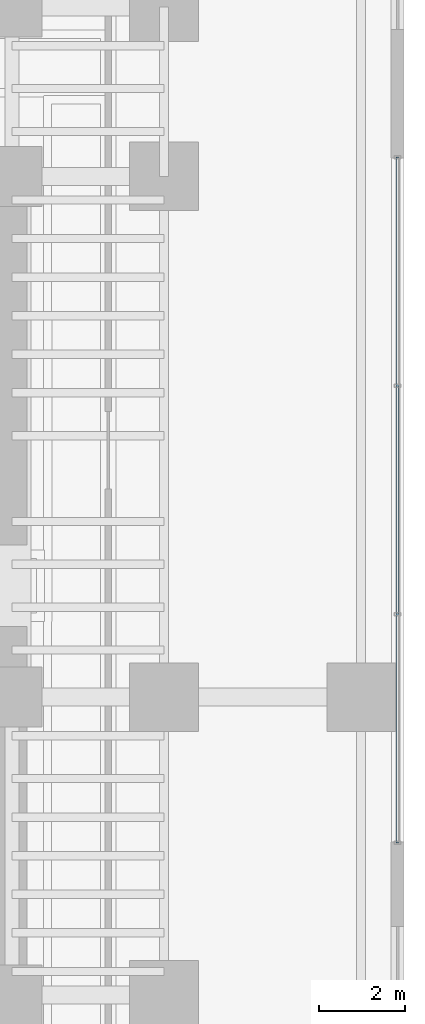
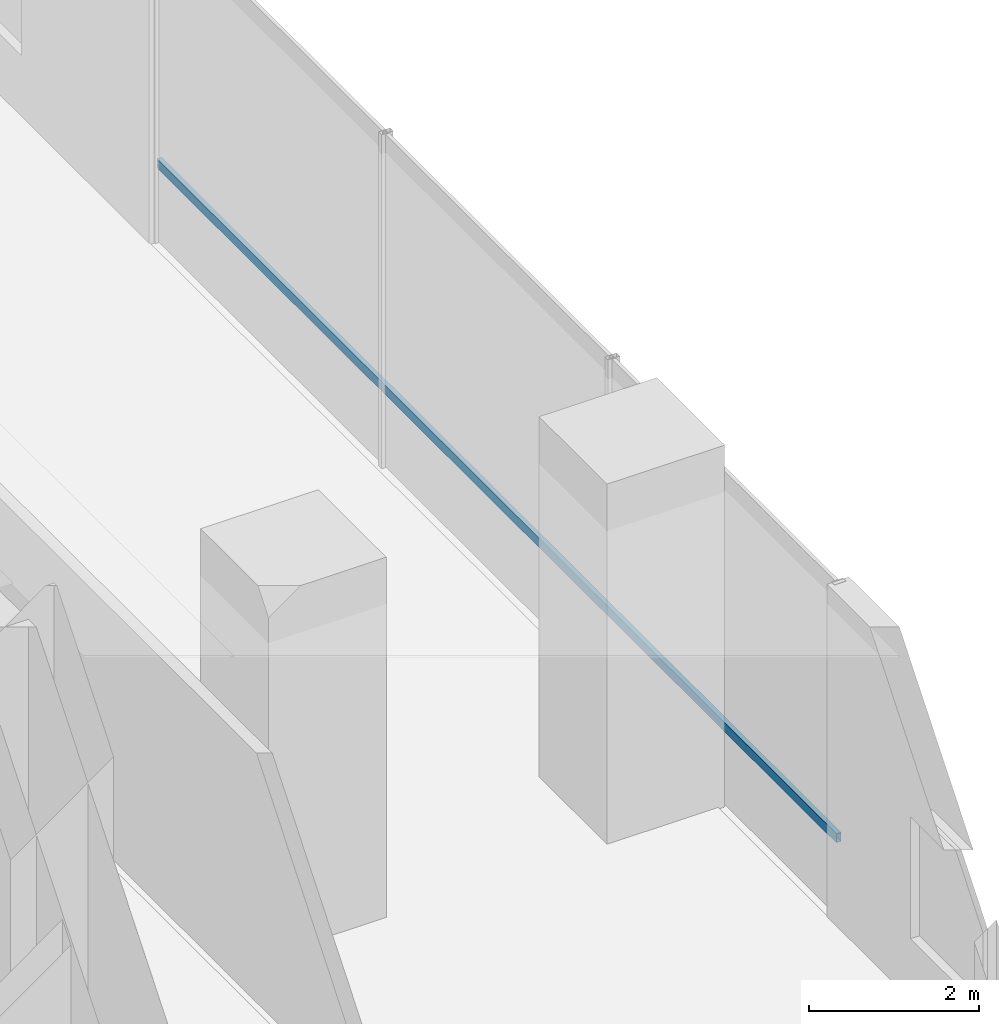
# One storey, part 21 of 39: 1 member, 1 element without a shape of its own.
"""IFC4 building model written with IfcOpenShell, lengths in metres."""

from ifc_helpers import new_model, si_unit, direction, frame, origin, origin_2d, place, context, subcontext, project, spatial, hollow_rectangle, extrude, source, transform, mapped, material, material_profile, profile_set, type_object, element, aggregate, save


model = new_model("IFC4")

# Units and contexts
model_context = context("Model", 3, precision=1e-05, world=origin(), true_north=direction((0.0, 1.0)))
body_context = subcontext(model_context, "Body", "Model", "MODEL_VIEW")
ifc_project = project(units=[si_unit("LENGTHUNIT", "METRE"), si_unit("AREAUNIT", "SQUARE_METRE"), si_unit("VOLUMEUNIT", "CUBIC_METRE"), si_unit("PLANEANGLEUNIT", "RADIAN"), si_unit("MASSUNIT", "GRAM", prefix="KILO")], contexts=[model_context])

# Site, building, storey
site_placement = place(None, origin())
site = spatial("IfcSite", under=ifc_project, at=site_placement, CompositionType="ELEMENT")
building_placement = place(site_placement, origin())
building = spatial("IfcBuilding", under=site, at=building_placement, Name="Valdorenza Pilgrim Sanctuary Tower", CompositionType="ELEMENT")
storey_placement = place(building_placement, frame((0.0, 0.0, 15.60009765625)))
storey = spatial("IfcBuildingStorey", under=building, at=storey_placement, Name="L03", CompositionType="ELEMENT", Elevation=15.60009765625)

# Curtain wall, member
ifc_material_1 = material(Name="Curtain-wall IGU glazing", Category="glass")
curtain_wall_type = type_object("IfcCurtainWallType", Name="CW-SYS-01", PredefinedType="NOTDEFINED", material=ifc_material_1)
curtain_wall_placement = place(storey_placement, origin())
curtain_wall = element("IfcCurtainWall", 1, at=curtain_wall_placement, inside=storey, type_object=curtain_wall_type, Name="L03 Curtain Wall CW-POD-L03-EE", PredefinedType="NOTDEFINED")
ifc_material_2 = material(Name="Anodised aluminium AW-6060", Category="aluminium")
ifc_material_profile = material_profile(ifc_material_2, hollow_rectangle(XDim=0.06494140625, YDim=0.1298828125, WallThickness=0.00341796875, at=origin_2d()), Name="ALU-T 130x65x3.5")
ifc_profile_set = profile_set([ifc_material_profile], Name="Anodised aluminium AW-6060")
member_type = type_object("IfcMemberType", Name="CW-TRN-01", PredefinedType="USERDEFINED", material=ifc_profile_set)
shared_shape = source(origin(), body_context, "Body", "SweptSolid", [
    extrude(hollow_rectangle(XDim=0.06494140625, YDim=0.1298828125, WallThickness=0.00341796875, at=origin_2d()), origin(), (0.0, 0.0, 1.0), 16.0),
])
member_placement = place(storey_placement, frame((33.85009765625, -6.0, 1.119873046875), z_axis=(0.0, 1.0, 0.0), x_axis=(-1.0, 0.0, 0.0)))
member = element("IfcMember", 2, at=member_placement, type_object=member_type, Name="CW-POD-L03-EE Transom 1", ObjectType="TRANSOM", PredefinedType="USERDEFINED", context=body_context, shape_type="MappedRepresentation", body=[
    mapped(shared_shape, transform((0.0, 0.0, 0.0), x_axis=(1.0, 0.0, 0.0), y_axis=(0.0, 1.0, 0.0), z_axis=(0.0, 0.0, 1.0), scale=1.0)),
])
aggregate(curtain_wall, [member])

save(model, "model.ifc")
